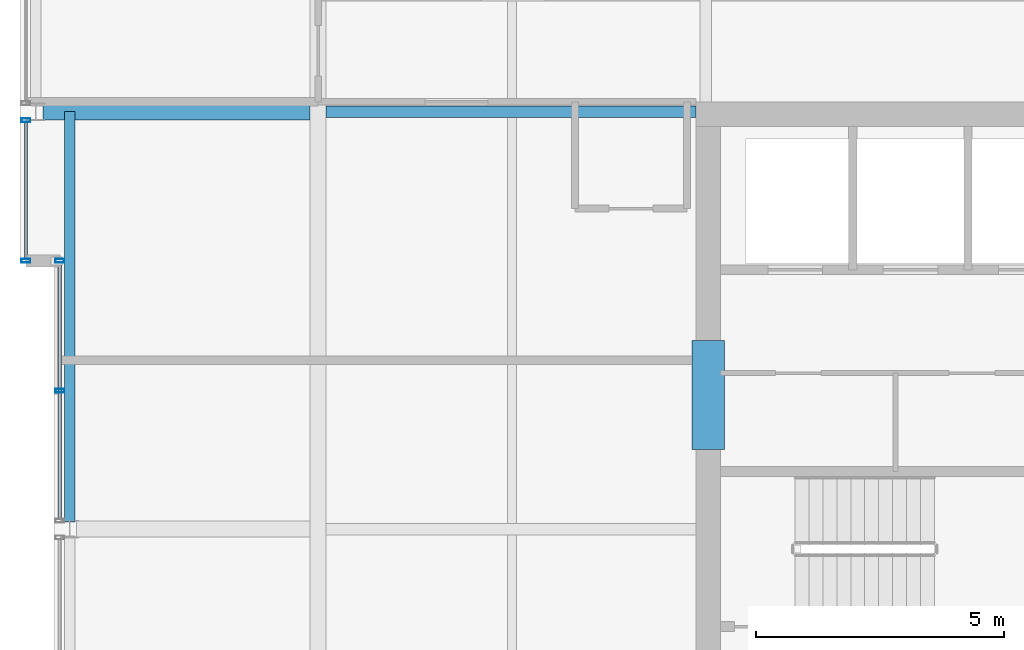
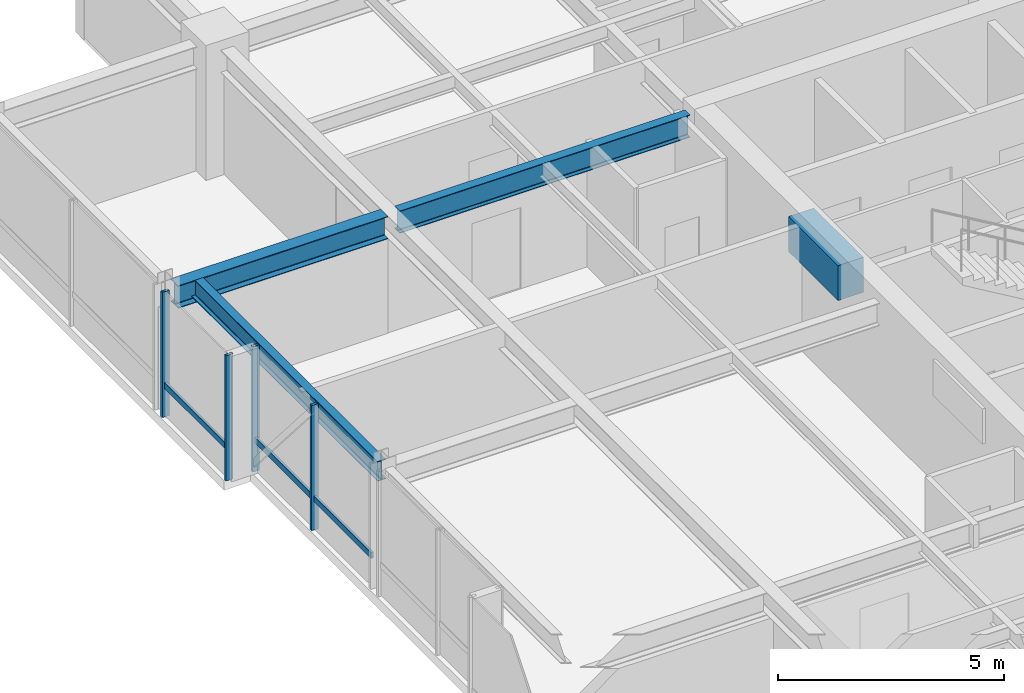
# One storey, part 13 of 34: 6 members, 4 beams, 2 elements without a shape of their own.
"""IFC4 building model written with IfcOpenShell, lengths in metres."""

from ifc_helpers import new_model, si_unit, direction, frame, origin, origin_2d, place, context, subcontext, project, spatial, rectangle, hollow_rectangle, i_section, extrude, material, layer, layer_set, material_profile, profile_set, type_object, element, aggregate, save


model = new_model("IFC4")

# Units and contexts
model_context = context("Model", 3, precision=1e-05, world=origin(), true_north=direction((0.0, 1.0)))
body_context = subcontext(model_context, "Body", "Model", "MODEL_VIEW")
ifc_project = project(units=[si_unit("LENGTHUNIT", "METRE"), si_unit("AREAUNIT", "SQUARE_METRE"), si_unit("VOLUMEUNIT", "CUBIC_METRE"), si_unit("PLANEANGLEUNIT", "RADIAN"), si_unit("MASSUNIT", "GRAM", prefix="KILO")], contexts=[model_context])

# Site, building, storey
site_placement = place(None, origin())
site = spatial("IfcSite", under=ifc_project, at=site_placement, CompositionType="ELEMENT")
building_placement = place(site_placement, origin())
building = spatial("IfcBuilding", under=site, at=building_placement, Name="Drelvath Grand Hotel", CompositionType="ELEMENT")
storey_placement = place(building_placement, frame((0.0, 0.0, 286.89990234375)))
storey = spatial("IfcBuildingStorey", under=building, at=storey_placement, Name="L75", CompositionType="ELEMENT", Elevation=286.89990234375)

# Beam
ifc_material_1 = material(Name="Concrete f'c 55 MPa", Category="concrete")
ifc_material_profile_1 = material_profile(ifc_material_1, rectangle(XDim=0.64990234375, YDim=0.949951171875, at=origin_2d()), Name="CB650X950")
ifc_profile_set_1 = profile_set([ifc_material_profile_1], Name="Concrete f'c 55 MPa")
beam_type_1 = type_object("IfcBeamType", Name="Core Coupling Lintel CB650X950", PredefinedType="LINTEL", material=ifc_profile_set_1)
beam_1_placement = place(storey_placement, frame((-8.35009765625, 28.60009765625, 2.9150390625), z_axis=(0.0, 1.0, 0.0), x_axis=(-1.0, 0.0, 0.0)))
element("IfcBeam", 1, at=beam_1_placement, inside=storey, type_object=beam_type_1, Name="L75 Core Coupling Lintel WN", PredefinedType="LINTEL", context=body_context, shape_type="SweptSolid", body=[
    extrude(rectangle(XDim=0.64990234375, YDim=0.949951171875, at=origin_2d()), origin(), (0.0, 0.0, 1.0), 2.199951171875),
])

# Curtain wall, member
ifc_material_2 = material(Name="Platinum-Mist Anodised Aluminium Frame", Category="aluminium")
ifc_layer = layer(ifc_material_2, 0.199951171875)
ifc_layer_set = layer_set([ifc_layer], Name="Platinum-Mist Anodised Aluminium Frame")
curtain_wall_type = type_object("IfcCurtainWallType", Name="Stick Curtain Wall CW-05 Platinum Mist High-Rise", PredefinedType="NOTDEFINED", material=ifc_layer_set)
curtain_wall_1_placement = place(storey_placement, origin())
curtain_wall_1 = element("IfcCurtainWall", 2, at=curtain_wall_1_placement, inside=storey, type_object=curtain_wall_type, Name="L75 CW-05 Curtain Wall CW05-L75-WM2", PredefinedType="NOTDEFINED")
ifc_material_profile_2 = material_profile(ifc_material_2, hollow_rectangle(XDim=0.06494140625, YDim=0.159912109375, WallThickness=0.00390625, at=origin_2d()), Name="HSS160X65X4")
ifc_profile_set_2 = profile_set([ifc_material_profile_2], Name="Platinum-Mist Anodised Aluminium Frame")
member_type_1 = type_object("IfcMemberType", Name="Curtain Wall Horizontal Transom CW-05 HSS160X65X4", PredefinedType="USERDEFINED", material=ifc_profile_set_2)
member_1_placement = place(storey_placement, frame((-21.39990234375, 27.2099609375, 0.84765625), z_axis=(0.0, 1.0, 0.0), x_axis=(-1.0, 0.0, 0.0)))
member_1 = element("IfcMember", 3, at=member_1_placement, type_object=member_type_1, Name="CW05-L75-WM2 Sill Transom", ObjectType="TRANSOM", PredefinedType="USERDEFINED", context=body_context, shape_type="SweptSolid", body=[
    extrude(hollow_rectangle(XDim=0.06494140625, YDim=0.159912109375, WallThickness=0.00390625, at=origin_2d()), origin(), (0.0, 0.0, 1.0), 5.150146484375),
])

curtain_wall_2_placement = place(storey_placement, origin())
curtain_wall_2 = element("IfcCurtainWall", 4, at=curtain_wall_2_placement, inside=storey, type_object=curtain_wall_type, Name="L75 CW-05 Curtain Wall CW05-L75-WN1", PredefinedType="NOTDEFINED")
member_2_placement = place(storey_placement, frame((-22.080078125, 32.43994140625, 0.84765625), z_axis=(0.0, 1.0, 0.0), x_axis=(-1.0, 0.0, 0.0)))
member_2 = element("IfcMember", 5, at=member_2_placement, type_object=member_type_1, Name="CW05-L75-WN1 Sill Transom", ObjectType="TRANSOM", PredefinedType="USERDEFINED", context=body_context, shape_type="SweptSolid", body=[
    extrude(hollow_rectangle(XDim=0.06494140625, YDim=0.159912109375, WallThickness=0.00390625, at=origin_2d()), origin(), (0.0, 0.0, 1.0), 2.75),
])

# Member
ifc_material_profile_3 = material_profile(ifc_material_2, hollow_rectangle(XDim=0.074951171875, YDim=0.179931640625, WallThickness=0.0048828125, at=origin_2d()), Name="HSS180X75X5")
ifc_profile_set_3 = profile_set([ifc_material_profile_3], Name="Platinum-Mist Anodised Aluminium Frame")
member_type_2 = type_object("IfcMemberType", Name="Curtain Wall Vertical Mullion CW-05 HSS180X75X5", PredefinedType="MULLION", material=ifc_profile_set_3)
member_3_placement = place(storey_placement, frame((-21.39990234375, 29.784912109375, 0.0), z_axis=(0.0, 0.0, 1.0), x_axis=(0.0, 1.0, 0.0)))
member_3 = element("IfcMember", 6, at=member_3_placement, type_object=member_type_2, Name="CW05-L75-WM2 Mullion 2", PredefinedType="MULLION", context=body_context, shape_type="SweptSolid", body=[
    extrude(hollow_rectangle(XDim=0.074951171875, YDim=0.179931640625, WallThickness=0.0048828125, at=origin_2d()), origin(), (0.0, 0.0, 1.0), 3.39013671875),
])

member_4_placement = place(storey_placement, frame((-21.39990234375, 32.39990234375, 0.0), z_axis=(0.0, 0.0, 1.0), x_axis=(0.0, 1.0, 0.0)))
member_4 = element("IfcMember", 7, at=member_4_placement, type_object=member_type_2, Name="CW05-L75-WM2 Mullion 3", PredefinedType="MULLION", context=body_context, shape_type="SweptSolid", body=[
    extrude(hollow_rectangle(XDim=0.074951171875, YDim=0.179931640625, WallThickness=0.0048828125, at=origin_2d()), origin(), (0.0, 0.0, 1.0), 3.39013671875),
])

aggregate(curtain_wall_1, [member_3, member_4, member_1])

member_5_placement = place(storey_placement, frame((-22.080078125, 32.39990234375, 0.0), z_axis=(0.0, 0.0, 1.0), x_axis=(0.0, 1.0, 0.0)))
member_5 = element("IfcMember", 8, at=member_5_placement, type_object=member_type_2, Name="CW05-L75-WN1 Mullion 1", PredefinedType="MULLION", context=body_context, shape_type="SweptSolid", body=[
    extrude(hollow_rectangle(XDim=0.074951171875, YDim=0.179931640625, WallThickness=0.0048828125, at=origin_2d()), origin(), (0.0, 0.0, 1.0), 3.39013671875),
])

member_6_placement = place(storey_placement, frame((-22.080078125, 35.22998046875, 0.0), z_axis=(0.0, 0.0, 1.0), x_axis=(0.0, 1.0, 0.0)))
member_6 = element("IfcMember", 9, at=member_6_placement, type_object=member_type_2, Name="CW05-L75-WN1 Mullion 2", PredefinedType="MULLION", context=body_context, shape_type="SweptSolid", body=[
    extrude(hollow_rectangle(XDim=0.074951171875, YDim=0.179931640625, WallThickness=0.0048828125, at=origin_2d()), origin(), (0.0, 0.0, 1.0), 3.39013671875),
])

aggregate(curtain_wall_2, [member_5, member_6, member_2])

# Beams
ifc_material_3 = material(Name="Steel ASTM A992 Gr 50", Category="steel")
ifc_material_profile_4 = material_profile(ifc_material_3, i_section(OverallWidth=0.210205078125, OverallDepth=0.53662109375, WebThickness=0.010986328125, FlangeThickness=0.017333984375, FilletRadius=0.01806640625, at=origin_2d()), Name="W21X68")
ifc_profile_set_4 = profile_set([ifc_material_profile_4], Name="Steel ASTM A992 Gr 50")
beam_type_2 = type_object("IfcBeamType", Name="Perimeter Spandrel Beam W21X68", PredefinedType="SPANDREL", material=ifc_profile_set_4)
beam_2_placement = place(storey_placement, frame((-21.199951171875, 27.139892578125, 3.121826171875), z_axis=(0.0, 1.0, 0.0), x_axis=(-1.0, 0.0, 0.0)))
element("IfcBeam", 10, at=beam_2_placement, inside=storey, type_object=beam_type_2, Name="L75 Spandrel West Mid N", PredefinedType="SPANDREL", context=body_context, shape_type="SweptSolid", body=[
    extrude(i_section(OverallWidth=0.210205078125, OverallDepth=0.53662109375, WebThickness=0.010986328125, FlangeThickness=0.017333984375, FilletRadius=0.01806640625, at=origin_2d()), origin(), (0.0, 0.0, 1.0), 8.260009765625),
])
ifc_material_profile_5 = material_profile(ifc_material_3, i_section(OverallWidth=0.323974609375, OverallDepth=0.611083984375, WebThickness=0.0126953125, FlangeThickness=0.01904296875, FilletRadius=0.02197265625, at=origin_2d()), Name="W24X104")
ifc_profile_set_5 = profile_set([ifc_material_profile_5], Name="Steel ASTM A992 Gr 50")
beam_type_3 = type_object("IfcBeamType", Name="Primary Floor Girder W24X104", PredefinedType="BEAM", material=ifc_profile_set_5)
beam_3_placement = place(storey_placement, frame((-21.739990234375, 35.39990234375, 3.084716796875), z_axis=(1.0, 0.0, 0.0), x_axis=(0.0, 1.0, 0.0)))
element("IfcBeam", 11, at=beam_3_placement, inside=storey, type_object=beam_type_3, Name="L75 West Wing Girder F", PredefinedType="BEAM", context=body_context, shape_type="SweptSolid", body=[
    extrude(i_section(OverallWidth=0.323974609375, OverallDepth=0.611083984375, WebThickness=0.0126953125, FlangeThickness=0.01904296875, FilletRadius=0.02197265625, at=origin_2d()), origin(), (0.0, 0.0, 1.0), 5.3779296875),
])
ifc_material_profile_6 = material_profile(ifc_material_3, i_section(OverallWidth=0.228271484375, OverallDepth=0.607666015625, WebThickness=0.01123046875, FlangeThickness=0.017333984375, FilletRadius=0.02001953125, at=origin_2d()), Name="W24X76")
ifc_profile_set_6 = profile_set([ifc_material_profile_6], Name="Steel ASTM A992 Gr 50")
beam_type_4 = type_object("IfcBeamType", Name="Primary Floor Girder W24X76", PredefinedType="BEAM", material=ifc_profile_set_6)
beam_4_placement = place(storey_placement, frame((-16.0380859375, 35.39990234375, 3.086181640625), z_axis=(1.0, 0.0, 0.0), x_axis=(0.0, 1.0, 0.0)))
element("IfcBeam", 12, at=beam_4_placement, inside=storey, type_object=beam_type_4, Name="L75 West Core Tie F", PredefinedType="BEAM", context=body_context, shape_type="SweptSolid", body=[
    extrude(i_section(OverallWidth=0.228271484375, OverallDepth=0.607666015625, WebThickness=0.01123046875, FlangeThickness=0.017333984375, FilletRadius=0.02001953125, at=origin_2d()), origin(), (0.0, 0.0, 1.0), 7.43798828125),
])

save(model, "model.ifc")
